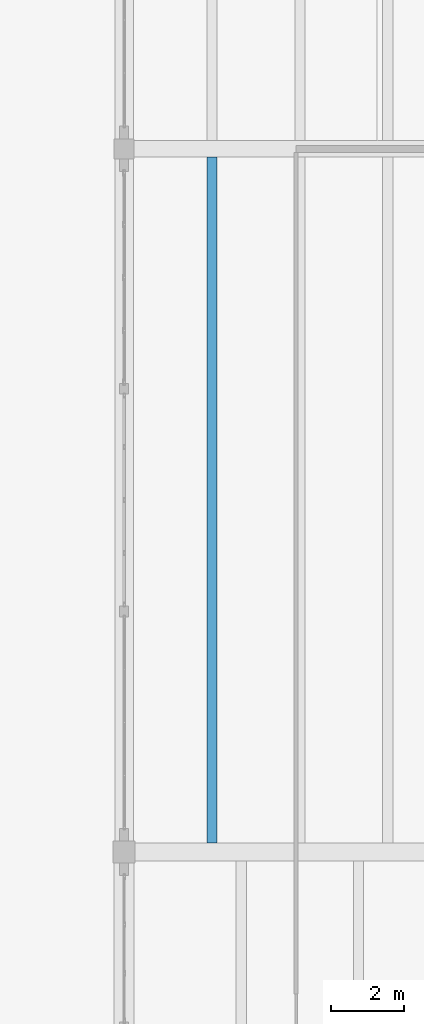
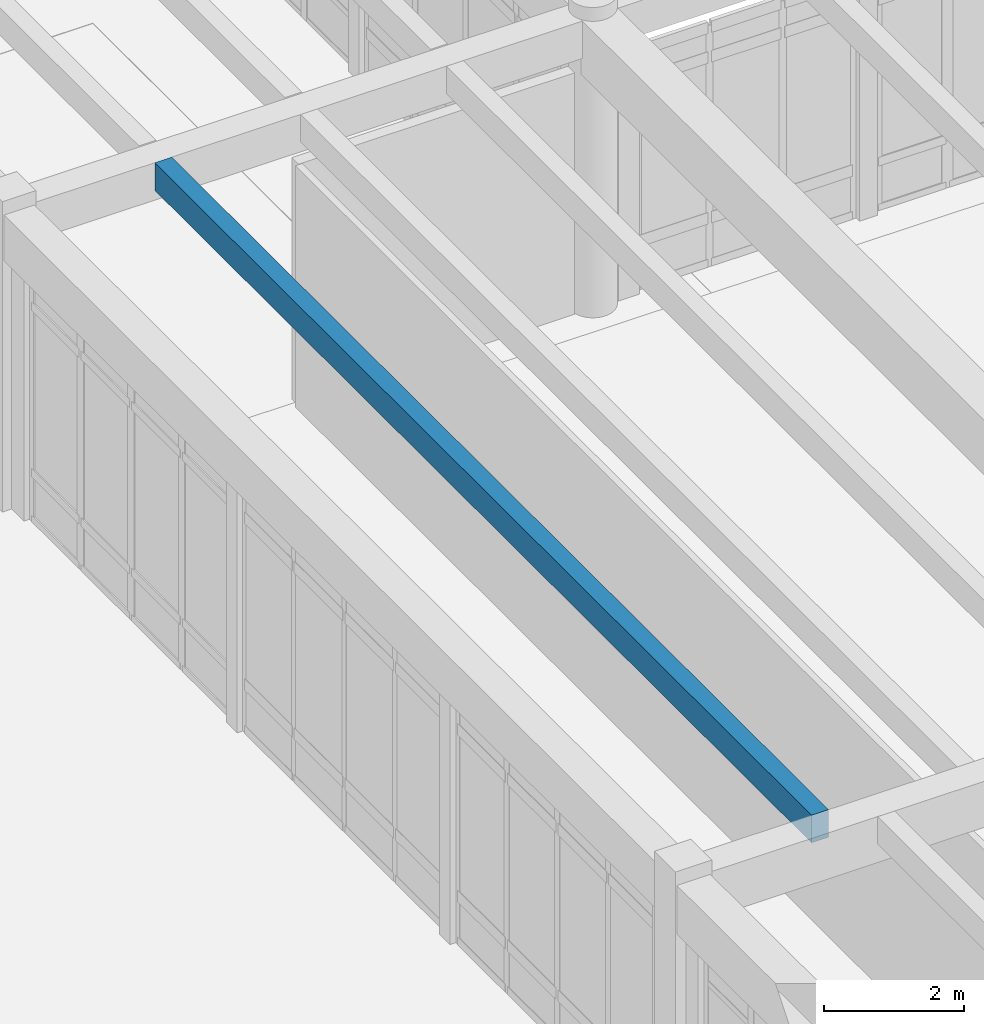
# One storey, part 39 of 138: 1 beam.
"""IFC4 building model written with IfcOpenShell, lengths in metres."""

from ifc_helpers import new_model, si_unit, direction, frame, origin, origin_2d, place, context, subcontext, project, spatial, rectangle, extrude, material, material_profile, profile_set, type_object, element, save


model = new_model("IFC4")

# Units and contexts
model_context = context("Model", 3, precision=1e-05, world=origin(), true_north=direction((0.0, 1.0)))
body_context = subcontext(model_context, "Body", "Model", "MODEL_VIEW")
ifc_project = project(units=[si_unit("LENGTHUNIT", "METRE"), si_unit("AREAUNIT", "SQUARE_METRE"), si_unit("VOLUMEUNIT", "CUBIC_METRE"), si_unit("PLANEANGLEUNIT", "RADIAN"), si_unit("MASSUNIT", "GRAM", prefix="KILO")], contexts=[model_context])

# Site, building, storey
site_placement = place(None, origin())
site = spatial("IfcSite", under=ifc_project, at=site_placement, CompositionType="ELEMENT")
building_placement = place(site_placement, origin())
building = spatial("IfcBuilding", under=site, at=building_placement, Name="Fikremerkos Civic Library", CompositionType="ELEMENT")
storey_placement = place(building_placement, origin())
storey = spatial("IfcBuildingStorey", under=building, at=storey_placement, Name="L00", CompositionType="ELEMENT", Elevation=0.0)

# Beam
ifc_material = material(Name="Concrete C40/50", Category="concrete")
ifc_material_profile = material_profile(ifc_material, rectangle(XDim=0.280029296875, YDim=0.47998046875, at=origin_2d()), Name="RC 280x480")
ifc_profile_set = profile_set([ifc_material_profile], Name="Concrete C40/50")
beam_type = type_object("IfcBeamType", Name="Floor joist JS-04 RC 280x480", PredefinedType="JOIST", material=ifc_profile_set)
beam_placement = place(storey_placement, frame((127.199951171875, 57.85009765625, 4.919921875), z_axis=(0.0, 1.0, 0.0), x_axis=(-1.0, 0.0, 0.0)))
element("IfcBeam", 1, at=beam_placement, inside=storey, type_object=beam_type, Name="Floor joist JS-04 L00 #364", PredefinedType="JOIST", context=body_context, shape_type="SweptSolid", body=[
    extrude(rectangle(XDim=0.280029296875, YDim=0.47998046875, at=origin_2d()), origin(), (0.0, 0.0, 1.0), 18.724853515625),
])

save(model, "model.ifc")
